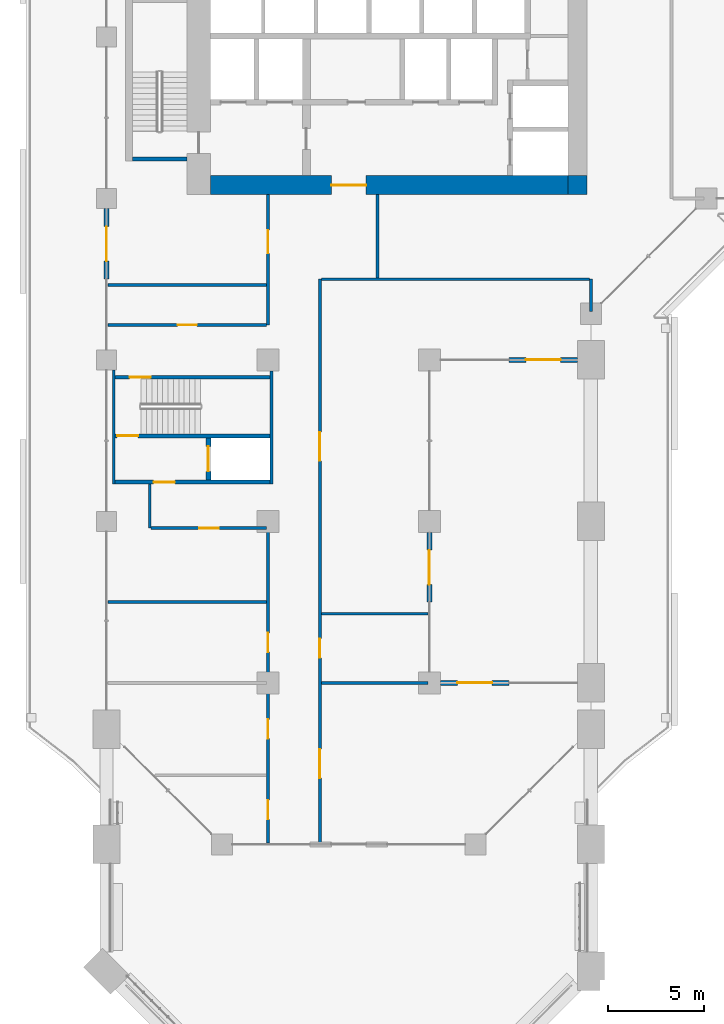
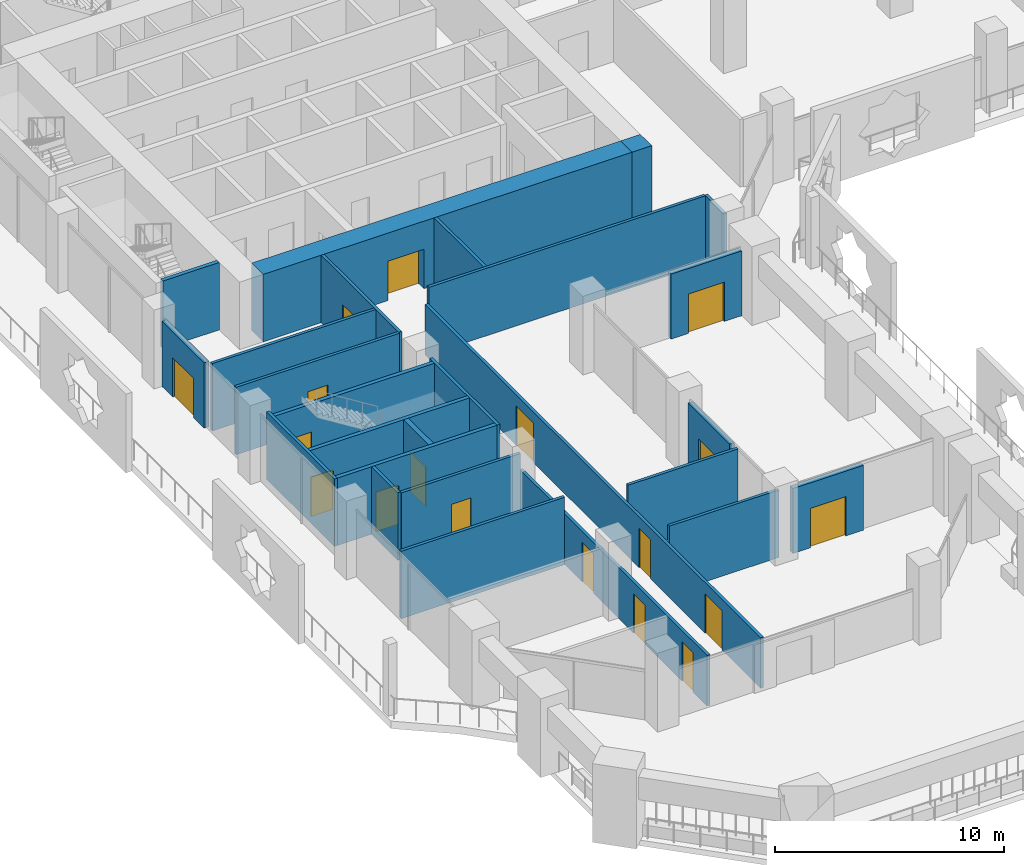
# One storey, part 13 of 25: 26 walls, 18 doors, 18 openings.
"""IFC4 building model written with IfcOpenShell, lengths in metres."""

from ifc_helpers import new_model, si_unit, direction, frame, frame_2d, origin, place, context, subcontext, project, spatial, rectangle, extrude, material, layer, layer_set, type_object, element, fill, save


model = new_model("IFC4")

# Units and contexts
model_context = context("Model", 3, precision=1e-05, world=origin(), true_north=direction((0.0, 1.0)))
body_context = subcontext(model_context, "Body", "Model", "MODEL_VIEW")
ifc_project = project(units=[si_unit("LENGTHUNIT", "METRE"), si_unit("AREAUNIT", "SQUARE_METRE"), si_unit("VOLUMEUNIT", "CUBIC_METRE"), si_unit("PLANEANGLEUNIT", "RADIAN"), si_unit("MASSUNIT", "GRAM", prefix="KILO")], contexts=[model_context])

# Site, building, storey
site_placement = place(None, origin())
site = spatial("IfcSite", under=ifc_project, at=site_placement, CompositionType="ELEMENT")
building_placement = place(site_placement, origin())
building = spatial("IfcBuilding", under=site, at=building_placement, Name="Kawkab Arch Medical Tower", CompositionType="ELEMENT")
storey_placement = place(building_placement, frame((0.0, 0.0, 98.800048828125)))
storey = spatial("IfcBuildingStorey", under=building, at=storey_placement, Name="L22", CompositionType="ELEMENT", Elevation=98.800048828125)

# Wall, opening, door
ifc_material_1 = material(Name="Concrete C60/75", Category="concrete")
ifc_layer_1 = layer(ifc_material_1, 1.0)
ifc_layer_set_1 = layer_set([ifc_layer_1], Name="Concrete C60/75")
wall_type_1 = type_object("IfcWallType", Name="Core ring wall 1000 C60/75", PredefinedType="SHEAR", material=ifc_layer_set_1)
wall_1_placement = place(storey_placement, frame((5.39990234375, -24.5, 0.0), z_axis=(0.0, 0.0, 1.0), x_axis=(1.0, 0.0, 0.0)))
wall_1 = element("IfcWall", 1, at=wall_1_placement, inside=storey, type_object=wall_type_1, Name="L22 core wall", PredefinedType="SHEAR", context=body_context, shape_type="SweptSolid", body=[
    extrude(rectangle(XDim=18.60009765625, YDim=1.0, at=frame_2d((9.300048828125, 0.0))), origin(), (0.0, 0.0, 1.0), 3.599853515625),
])
opening_1_placement = place(wall_1_placement, frame((6.300048828125, 0.0, 0.0)))
opening_1 = element("IfcOpeningElement", 2, at=opening_1_placement, cuts=wall_1, Name="Opening PD", PredefinedType="OPENING", context=body_context, shape_type="SweptSolid", body=[
    extrude(rectangle(XDim=1.800048828125, YDim=2.10009765625, at=frame_2d((0.89990234375, 1.050048828125))), frame((0.0, 0.510009765625, 0.0), z_axis=(0.0, -1.0, 0.0), x_axis=(1.0, 0.0, 0.0)), (0.0, 0.0, 1.0), 1.02001953125),
])
ifc_material_2 = material(Name="Hollow metal fire door leaf")
door_type_1 = type_object("IfcDoorType", Name="Core entrance doors 1800", OperationType="DOUBLE_DOOR_SINGLE_SWING", PredefinedType="DOOR", material=ifc_material_2)
door_1_placement = place(opening_1_placement, origin())
door_1 = element("IfcDoor", 3, at=door_1_placement, inside=storey, type_object=door_type_1, Name="L22 South entrance doors", OperationType="DOUBLE_DOOR_SINGLE_SWING", OverallHeight=2.10009765625, OverallWidth=1.800048828125, PredefinedType="DOOR", context=body_context, shape_type="SweptSolid", body=[
    extrude(rectangle(XDim=1.800048828125, YDim=2.10009765625, at=frame_2d((0.89990234375, 1.050048828125))), frame((0.0, 0.02490234375, 0.0), z_axis=(0.0, -1.0, 0.0), x_axis=(1.0, 0.0, 0.0)), (0.0, 0.0, 1.0), 0.050048828125),
])
fill(opening_1, door_1)

# Wall
wall_2_placement = place(storey_placement, frame((24.5, -25.0, 0.0), z_axis=(0.0, 0.0, 1.0), x_axis=(0.0, 1.0, 0.0)))
element("IfcWall", 4, at=wall_2_placement, inside=storey, type_object=wall_type_1, Name="L22 core wall", PredefinedType="SHEAR", context=body_context, shape_type="SweptSolid", body=[
    extrude(rectangle(XDim=1.0, YDim=1.0, at=frame_2d((0.5, 0.0))), origin(), (0.0, 0.0, 1.0), 3.599853515625),
])

# Wall, opening, door
ifc_material_3 = material(Name="Concrete C60/75", Category="concrete")
ifc_layer_2 = layer(ifc_material_3, 0.25)
ifc_layer_set_2 = layer_set([ifc_layer_2], Name="Concrete C60/75")
wall_type_2 = type_object("IfcWallType", Name="Core shear wall 250 C60/75", PredefinedType="SHEAR", material=ifc_layer_set_2)
wall_3_placement = place(storey_placement, frame((5.300048828125, -39.85009765625, 0.0), z_axis=(0.0, 0.0, 1.0), x_axis=(0.0, 1.0, 0.0)))
wall_3 = element("IfcWall", 5, at=wall_3_placement, inside=storey, type_object=wall_type_2, Name="L22 core shear wall", PredefinedType="SHEAR", context=body_context, shape_type="SweptSolid", body=[
    extrude(rectangle(XDim=2.2001953125, YDim=0.25, at=frame_2d((1.10009765625, 0.0))), origin(), (0.0, 0.0, 1.0), 3.599853515625),
])
opening_2_placement = place(wall_3_placement, frame((0.449951171875, 0.0, 0.0)))
opening_2 = element("IfcOpeningElement", 6, at=opening_2_placement, cuts=wall_3, Name="Opening LD2", PredefinedType="OPENING", context=body_context, shape_type="SweptSolid", body=[
    extrude(rectangle(XDim=1.300048828125, YDim=2.10009765625, at=frame_2d((0.64990234375, 1.050048828125))), frame((0.0, 0.135009765625, 0.0), z_axis=(0.0, -1.0, 0.0), x_axis=(1.0, 0.0, 0.0)), (0.0, 0.0, 1.0), 0.27001953125),
])
ifc_material_4 = material(Name="Stainless steel lift door leaf", Category="steel")
door_type_2 = type_object("IfcDoorType", Name="Lift landing door 1300", OperationType="DOUBLE_DOOR_SLIDING", PredefinedType="DOOR", material=ifc_material_4)
door_2_placement = place(opening_2_placement, origin())
door_2 = element("IfcDoor", 7, at=door_2_placement, inside=storey, type_object=door_type_2, Name="L22 Lift landing door SV2", OperationType="DOUBLE_DOOR_SLIDING", OverallHeight=2.10009765625, OverallWidth=1.300048828125, PredefinedType="DOOR", context=body_context, shape_type="SweptSolid", body=[
    extrude(rectangle(XDim=1.300048828125, YDim=2.10009765625, at=frame_2d((0.64990234375, 1.050048828125))), frame((0.0, 0.02490234375, 0.0), z_axis=(0.0, -1.0, 0.0), x_axis=(1.0, 0.0, 0.0)), (0.0, 0.0, 1.0), 0.050048828125),
])
fill(opening_2, door_2)

ifc_material_5 = material(Name="Bronze clad insulated wall panel")
ifc_layer_3 = layer(ifc_material_5, 0.25)
ifc_layer_set_3 = layer_set([ifc_layer_3], Name="Bronze clad insulated wall panel")
wall_type_3 = type_object("IfcWallType", Name="External wall bay 250", PredefinedType="SOLIDWALL", material=ifc_layer_set_3)
wall_4_placement = place(storey_placement, frame((20.9375, -50.39990234375, 0.0), z_axis=(0.0, 0.0, 1.0), x_axis=(-1.0, 0.0, 0.0)))
wall_4 = element("IfcWall", 8, at=wall_4_placement, inside=storey, type_object=wall_type_3, Name="External wall bay L22.R02.1.2", PredefinedType="SOLIDWALL", context=body_context, shape_type="SweptSolid", body=[
    extrude(rectangle(XDim=3.5625, YDim=0.25, at=frame_2d((1.78125, 0.0))), origin(), (0.0, 0.0, 1.0), 3.4599609375),
])
opening_3_placement = place(wall_4_placement, frame((0.881103515625, 0.0, 0.0)))
opening_3 = element("IfcOpeningElement", 9, at=opening_3_placement, cuts=wall_4, Name="Opening B22-701", PredefinedType="OPENING", context=body_context, shape_type="SweptSolid", body=[
    extrude(rectangle(XDim=1.800048828125, YDim=2.10009765625, at=frame_2d((0.89990234375, 1.050048828125))), frame((0.0, 0.135009765625, 0.0), z_axis=(0.0, -1.0, 0.0), x_axis=(1.0, 0.0, 0.0)), (0.0, 0.0, 1.0), 0.27001953125),
])
ifc_material_6 = material(Name="Bronze anodised aluminium door with tinted glass", Category="aluminium")
door_type_3 = type_object("IfcDoorType", Name="Double external door 1800 x 2100", OperationType="DOUBLE_DOOR_SINGLE_SWING", PredefinedType="DOOR", material=ifc_material_6)
door_3_placement = place(opening_3_placement, origin())
door_3 = element("IfcDoor", 10, at=door_3_placement, inside=storey, type_object=door_type_3, Name="External door L22.R02.1.2", OperationType="DOUBLE_DOOR_SINGLE_SWING", OverallHeight=2.10009765625, OverallWidth=1.800048828125, PredefinedType="DOOR", context=body_context, shape_type="SweptSolid", body=[
    extrude(rectangle(XDim=1.800048828125, YDim=2.10009765625, at=frame_2d((0.89990234375, 1.050048828125))), frame((0.0, 0.02490234375, 0.0), z_axis=(0.0, -1.0, 0.0), x_axis=(1.0, 0.0, 0.0)), (0.0, 0.0, 1.0), 0.050048828125),
])
fill(opening_3, door_3)

wall_5_placement = place(storey_placement, frame((16.800048828125, -46.199951171875, 0.0), z_axis=(0.0, 0.0, 1.0), x_axis=(0.0, 1.0, 0.0)))
wall_5 = element("IfcWall", 11, at=wall_5_placement, inside=storey, type_object=wall_type_3, Name="External wall bay L22.R03.1.2", PredefinedType="SOLIDWALL", context=body_context, shape_type="SweptSolid", body=[
    extrude(rectangle(XDim=3.625, YDim=0.25, at=frame_2d((1.8125, 0.0))), origin(), (0.0, 0.0, 1.0), 3.4599609375),
])
opening_4_placement = place(wall_5_placement, frame((0.91259765625, 0.0, 0.0)))
opening_4 = element("IfcOpeningElement", 12, at=opening_4_placement, cuts=wall_5, Name="Opening B22-701", PredefinedType="OPENING", context=body_context, shape_type="SweptSolid", body=[
    extrude(rectangle(XDim=1.800048828125, YDim=2.10009765625, at=frame_2d((0.89990234375, 1.050048828125))), frame((0.0, 0.135009765625, 0.0), z_axis=(0.0, -1.0, 0.0), x_axis=(1.0, 0.0, 0.0)), (0.0, 0.0, 1.0), 0.27001953125),
])
door_4_placement = place(opening_4_placement, origin())
door_4 = element("IfcDoor", 13, at=door_4_placement, inside=storey, type_object=door_type_3, Name="External door L22.R03.1.2", OperationType="DOUBLE_DOOR_SINGLE_SWING", OverallHeight=2.10009765625, OverallWidth=1.800048828125, PredefinedType="DOOR", context=body_context, shape_type="SweptSolid", body=[
    extrude(rectangle(XDim=1.800048828125, YDim=2.10009765625, at=frame_2d((0.89990234375, 1.050048828125))), frame((0.0, 0.02490234375, 0.0), z_axis=(0.0, -1.0, 0.0), x_axis=(1.0, 0.0, 0.0)), (0.0, 0.0, 1.0), 0.050048828125),
])
fill(opening_4, door_4)

wall_6_placement = place(storey_placement, frame((20.9375, -33.60009765625, 0.0), z_axis=(0.0, 0.0, 1.0), x_axis=(1.0, 0.0, 0.0)))
wall_6 = element("IfcWall", 14, at=wall_6_placement, inside=storey, type_object=wall_type_3, Name="External wall bay L22.R04.1.2", PredefinedType="SOLIDWALL", context=body_context, shape_type="SweptSolid", body=[
    extrude(rectangle(XDim=3.5625, YDim=0.25, at=frame_2d((1.78125, 0.0))), origin(), (0.0, 0.0, 1.0), 3.4599609375),
])
opening_5_placement = place(wall_6_placement, frame((0.881103515625, 0.0, 0.0)))
opening_5 = element("IfcOpeningElement", 15, at=opening_5_placement, cuts=wall_6, Name="Opening B22-701", PredefinedType="OPENING", context=body_context, shape_type="SweptSolid", body=[
    extrude(rectangle(XDim=1.800048828125, YDim=2.10009765625, at=frame_2d((0.89990234375, 1.050048828125))), frame((0.0, 0.135009765625, 0.0), z_axis=(0.0, -1.0, 0.0), x_axis=(1.0, 0.0, 0.0)), (0.0, 0.0, 1.0), 0.27001953125),
])
door_5_placement = place(opening_5_placement, origin())
door_5 = element("IfcDoor", 16, at=door_5_placement, inside=storey, type_object=door_type_3, Name="External door L22.R04.1.2", OperationType="DOUBLE_DOOR_SINGLE_SWING", OverallHeight=2.10009765625, OverallWidth=1.800048828125, PredefinedType="DOOR", context=body_context, shape_type="SweptSolid", body=[
    extrude(rectangle(XDim=1.800048828125, YDim=2.10009765625, at=frame_2d((0.89990234375, 1.050048828125))), frame((0.0, 0.02490234375, 0.0), z_axis=(0.0, -1.0, 0.0), x_axis=(1.0, 0.0, 0.0)), (0.0, 0.0, 1.0), 0.050048828125),
])
fill(opening_5, door_5)

wall_7_placement = place(storey_placement, frame((0.0, -25.72509765625, 0.0), z_axis=(0.0, 0.0, 1.0), x_axis=(0.0, -1.0, 0.0)))
wall_7 = element("IfcWall", 17, at=wall_7_placement, inside=storey, type_object=wall_type_3, Name="External wall bay L22.R13.4.1", PredefinedType="SOLIDWALL", context=body_context, shape_type="SweptSolid", body=[
    extrude(rectangle(XDim=3.6748046875, YDim=0.25, at=frame_2d((1.83740234375, 0.0))), origin(), (0.0, 0.0, 1.0), 3.47998046875),
])
opening_6_placement = place(wall_7_placement, frame((0.9375, 0.0, 0.0)))
opening_6 = element("IfcOpeningElement", 18, at=opening_6_placement, cuts=wall_7, Name="Opening B22-701", PredefinedType="OPENING", context=body_context, shape_type="SweptSolid", body=[
    extrude(rectangle(XDim=1.800048828125, YDim=2.10009765625, at=frame_2d((0.89990234375, 1.050048828125))), frame((0.0, 0.135009765625, 0.0), z_axis=(0.0, -1.0, 0.0), x_axis=(1.0, 0.0, 0.0)), (0.0, 0.0, 1.0), 0.27001953125),
])
door_6_placement = place(opening_6_placement, origin())
door_6 = element("IfcDoor", 19, at=door_6_placement, inside=storey, type_object=door_type_3, Name="External door L22.R13.4.1", OperationType="DOUBLE_DOOR_SINGLE_SWING", OverallHeight=2.10009765625, OverallWidth=1.800048828125, PredefinedType="DOOR", context=body_context, shape_type="SweptSolid", body=[
    extrude(rectangle(XDim=1.800048828125, YDim=2.10009765625, at=frame_2d((0.89990234375, 1.050048828125))), frame((0.0, 0.02490234375, 0.0), z_axis=(0.0, -1.0, 0.0), x_axis=(1.0, 0.0, 0.0)), (0.0, 0.0, 1.0), 0.050048828125),
])
fill(opening_6, door_6)

# Walls
ifc_material_7 = material(Name="Gypsum board partition on steel studs, mineral wool", Category="steel")
ifc_layer_4 = layer(ifc_material_7, 0.14990234375)
ifc_layer_set_4 = layer_set([ifc_layer_4], Name="Gypsum board partition on steel studs, mineral wool")
wall_type_4 = type_object("IfcWallType", Name="Partition 150", PredefinedType="PARTITIONING", material=ifc_layer_set_4)
for number, where, z_axis, x_axis, name in (
    (20, (11.175048828125, -50.39990234375, 0.0), (0.0, 0.0, 1.0), (1.0, 0.0, 0.0), "Partition 150 w004"),
    (21, (11.175048828125, -46.800048828125, 0.0), (0.0, 0.0, 1.0), (1.0, 0.0, 0.0), "Partition 150 w005"),
):
    element("IfcWall", number, at=place(storey_placement, frame(where, z_axis=z_axis, x_axis=x_axis)), inside=storey, type_object=wall_type_4, Name=name, PredefinedType="PARTITIONING", context=body_context, shape_type="SweptSolid", body=[
        extrude(rectangle(XDim=5.544921875, YDim=0.14990234375, at=frame_2d((2.7724609375, 0.0))), origin(), (0.0, 0.0, 1.0), 3.599853515625),
    ])
wall_8_placement = place(storey_placement, frame((0.080078125, -46.199951171875, 0.0), z_axis=(0.0, 0.0, 1.0), x_axis=(1.0, 0.0, 0.0)))
element("IfcWall", 22, at=wall_8_placement, inside=storey, type_object=wall_type_4, Name="Partition 150 w006", PredefinedType="PARTITIONING", context=body_context, shape_type="SweptSolid", body=[
    extrude(rectangle(XDim=8.244873046875, YDim=0.14990234375, at=frame_2d((4.12255859375, 0.0))), origin(), (0.0, 0.0, 1.0), 3.599853515625),
])

# Wall, opening, door
wall_9_placement = place(storey_placement, frame((2.326904296875, -42.35009765625, 0.0), z_axis=(0.0, 0.0, 1.0), x_axis=(1.0, 0.0, 0.0)))
wall_9 = element("IfcWall", 23, at=wall_9_placement, inside=storey, type_object=wall_type_4, Name="Partition 150 w007", PredefinedType="PARTITIONING", context=body_context, shape_type="SweptSolid", body=[
    extrude(rectangle(XDim=5.998046875, YDim=0.14990234375, at=frame_2d((2.9990234375, 0.0))), origin(), (0.0, 0.0, 1.0), 3.599853515625),
])
opening_7_placement = place(wall_9_placement, frame((2.4990234375, 0.0, 0.0)))
opening_7 = element("IfcOpeningElement", 24, at=opening_7_placement, cuts=wall_9, Name="Opening B22-021", PredefinedType="OPENING", context=body_context, shape_type="SweptSolid", body=[
    extrude(rectangle(XDim=1.0, YDim=2.10009765625, at=frame_2d((0.5, 1.050048828125))), frame((0.0, 0.0849609375, 0.0), z_axis=(0.0, -1.0, 0.0), x_axis=(1.0, 0.0, 0.0)), (0.0, 0.0, 1.0), 0.169921875),
])
ifc_material_8 = material(Name="Hollow metal door leaf")
door_type_4 = type_object("IfcDoorType", Name="Single door 1000x2100 FD30S", OperationType="NOTDEFINED", PredefinedType="DOOR", material=ifc_material_8)
door_7_placement = place(opening_7_placement, origin())
door_7 = element("IfcDoor", 25, at=door_7_placement, inside=storey, type_object=door_type_4, Name="Door B22-021", OperationType="SINGLE_SWING_LEFT", OverallHeight=2.10009765625, OverallWidth=1.0, PredefinedType="DOOR", context=body_context, shape_type="SweptSolid", body=[
    extrude(rectangle(XDim=1.0, YDim=2.10009765625, at=frame_2d((0.5, 1.050048828125))), frame((0.0, 0.02490234375, 0.0), z_axis=(0.0, -1.0, 0.0), x_axis=(1.0, 0.0, 0.0)), (0.0, 0.0, 1.0), 0.050048828125),
])
fill(opening_7, door_7)

wall_10_placement = place(storey_placement, frame((0.080078125, -31.781982421875, 0.0), z_axis=(0.0, 0.0, 1.0), x_axis=(1.0, 0.0, 0.0)))
wall_10 = element("IfcWall", 26, at=wall_10_placement, inside=storey, type_object=wall_type_4, Name="Partition 150 w008", PredefinedType="PARTITIONING", context=body_context, shape_type="SweptSolid", body=[
    extrude(rectangle(XDim=8.244873046875, YDim=0.14990234375, at=frame_2d((4.12255859375, 0.0))), origin(), (0.0, 0.0, 1.0), 3.599853515625),
])
opening_8_placement = place(wall_10_placement, frame((3.6201171875, 0.0, 0.0)))
opening_8 = element("IfcOpeningElement", 27, at=opening_8_placement, cuts=wall_10, Name="Opening B22-020", PredefinedType="OPENING", context=body_context, shape_type="SweptSolid", body=[
    extrude(rectangle(XDim=1.0, YDim=2.10009765625, at=frame_2d((0.5, 1.050048828125))), frame((0.0, 0.0849609375, 0.0), z_axis=(0.0, -1.0, 0.0), x_axis=(1.0, 0.0, 0.0)), (0.0, 0.0, 1.0), 0.169921875),
])
door_8_placement = place(opening_8_placement, origin())
door_8 = element("IfcDoor", 28, at=door_8_placement, inside=storey, type_object=door_type_4, Name="Door B22-020", OperationType="SINGLE_SWING_LEFT", OverallHeight=2.10009765625, OverallWidth=1.0, PredefinedType="DOOR", context=body_context, shape_type="SweptSolid", body=[
    extrude(rectangle(XDim=1.0, YDim=2.10009765625, at=frame_2d((0.5, 1.050048828125))), frame((0.0, 0.02490234375, 0.0), z_axis=(0.0, -1.0, 0.0), x_axis=(1.0, 0.0, 0.0)), (0.0, 0.0, 1.0), 0.050048828125),
])
fill(opening_8, door_8)

# Walls
wall_11_placement = place(storey_placement, frame((0.080078125, -29.699951171875, 0.0), z_axis=(0.0, 0.0, 1.0), x_axis=(1.0, 0.0, 0.0)))
element("IfcWall", 29, at=wall_11_placement, inside=storey, type_object=wall_type_4, Name="Partition 150 w009", PredefinedType="PARTITIONING", context=body_context, shape_type="SweptSolid", body=[
    extrude(rectangle(XDim=8.244873046875, YDim=0.14990234375, at=frame_2d((4.12255859375, 0.0))), origin(), (0.0, 0.0, 1.0), 3.599853515625),
])
wall_12_placement = place(storey_placement, frame((11.175048828125, -29.39990234375, 0.0), z_axis=(0.0, 0.0, 1.0), x_axis=(1.0, 0.0, 0.0)))
element("IfcWall", 30, at=wall_12_placement, inside=storey, type_object=wall_type_4, Name="Partition 150 w010", PredefinedType="PARTITIONING", context=body_context, shape_type="SweptSolid", body=[
    extrude(rectangle(XDim=13.949951171875, YDim=0.14990234375, at=frame_2d((6.97509765625, 0.0))), origin(), (0.0, 0.0, 1.0), 3.599853515625),
])
wall_13_placement = place(storey_placement, frame((2.25, -42.347900390625, 0.0), z_axis=(0.0, 0.0, 1.0), x_axis=(0.0, 1.0, 0.0)))
element("IfcWall", 31, at=wall_13_placement, inside=storey, type_object=wall_type_4, Name="Partition 150 w021", PredefinedType="PARTITIONING", context=body_context, shape_type="SweptSolid", body=[
    extrude(rectangle(XDim=2.2978515625, YDim=0.14990234375, at=frame_2d((1.14892578125, 0.0))), origin(), (0.0, 0.0, 1.0), 3.599853515625),
])

# Wall, openings, doors
wall_14_placement = place(storey_placement, frame((8.39990234375, -58.719970703125, 0.0), z_axis=(0.0, 0.0, 1.0), x_axis=(0.0, 1.0, 0.0)))
wall_14 = element("IfcWall", 32, at=wall_14_placement, inside=storey, type_object=wall_type_4, Name="Partition 150 w022", PredefinedType="PARTITIONING", context=body_context, shape_type="SweptSolid", body=[
    extrude(rectangle(XDim=16.369873046875, YDim=0.14990234375, at=frame_2d((8.18505859375, 0.0))), origin(), (0.0, 0.0, 1.0), 2.699951171875),
])
opening_9_placement = place(wall_14_placement, frame((9.919921875, 0.0, 0.0)))
opening_9 = element("IfcOpeningElement", 33, at=opening_9_placement, cuts=wall_14, Name="Opening B22-022", PredefinedType="OPENING", context=body_context, shape_type="SweptSolid", body=[
    extrude(rectangle(XDim=1.0, YDim=2.10009765625, at=frame_2d((0.5, 1.050048828125))), frame((0.0, 0.0849609375, 0.0), z_axis=(0.0, -1.0, 0.0), x_axis=(1.0, 0.0, 0.0)), (0.0, 0.0, 1.0), 0.169921875),
])
opening_10_placement = place(wall_14_placement, frame((5.419921875, 0.0, 0.0)))
opening_10 = element("IfcOpeningElement", 34, at=opening_10_placement, cuts=wall_14, Name="Opening B22-023", PredefinedType="OPENING", context=body_context, shape_type="SweptSolid", body=[
    extrude(rectangle(XDim=1.0, YDim=2.10009765625, at=frame_2d((0.5, 1.050048828125))), frame((0.0, 0.0849609375, 0.0), z_axis=(0.0, -1.0, 0.0), x_axis=(1.0, 0.0, 0.0)), (0.0, 0.0, 1.0), 0.169921875),
])
opening_11_placement = place(wall_14_placement, frame((1.219970703125, 0.0, 0.0)))
opening_11 = element("IfcOpeningElement", 35, at=opening_11_placement, cuts=wall_14, Name="Opening B22-024", PredefinedType="OPENING", context=body_context, shape_type="SweptSolid", body=[
    extrude(rectangle(XDim=1.0, YDim=2.10009765625, at=frame_2d((0.5, 1.050048828125))), frame((0.0, 0.0849609375, 0.0), z_axis=(0.0, -1.0, 0.0), x_axis=(1.0, 0.0, 0.0)), (0.0, 0.0, 1.0), 0.169921875),
])
door_9_placement = place(opening_9_placement, origin())
door_9 = element("IfcDoor", 36, at=door_9_placement, inside=storey, type_object=door_type_4, Name="Door B22-022", OperationType="SINGLE_SWING_RIGHT", OverallHeight=2.10009765625, OverallWidth=1.0, PredefinedType="DOOR", context=body_context, shape_type="SweptSolid", body=[
    extrude(rectangle(XDim=1.0, YDim=2.10009765625, at=frame_2d((0.5, 1.050048828125))), frame((0.0, 0.02490234375, 0.0), z_axis=(0.0, -1.0, 0.0), x_axis=(1.0, 0.0, 0.0)), (0.0, 0.0, 1.0), 0.050048828125),
])
fill(opening_9, door_9)
door_10_placement = place(opening_10_placement, origin())
door_10 = element("IfcDoor", 37, at=door_10_placement, inside=storey, type_object=door_type_4, Name="Door B22-023", OperationType="SINGLE_SWING_LEFT", OverallHeight=2.10009765625, OverallWidth=1.0, PredefinedType="DOOR", context=body_context, shape_type="SweptSolid", body=[
    extrude(rectangle(XDim=1.0, YDim=2.10009765625, at=frame_2d((0.5, 1.050048828125))), frame((0.0, 0.02490234375, 0.0), z_axis=(0.0, -1.0, 0.0), x_axis=(1.0, 0.0, 0.0)), (0.0, 0.0, 1.0), 0.050048828125),
])
fill(opening_10, door_10)
door_11_placement = place(opening_11_placement, origin())
door_11 = element("IfcDoor", 38, at=door_11_placement, inside=storey, type_object=door_type_4, Name="Door B22-024", OperationType="SINGLE_SWING_LEFT", OverallHeight=2.10009765625, OverallWidth=1.0, PredefinedType="DOOR", context=body_context, shape_type="SweptSolid", body=[
    extrude(rectangle(XDim=1.0, YDim=2.10009765625, at=frame_2d((0.5, 1.050048828125))), frame((0.0, 0.02490234375, 0.0), z_axis=(0.0, -1.0, 0.0), x_axis=(1.0, 0.0, 0.0)), (0.0, 0.0, 1.0), 0.050048828125),
])
fill(opening_11, door_11)

# Wall, opening, door
wall_15_placement = place(storey_placement, frame((8.39990234375, -31.781982421875, 0.0), z_axis=(0.0, 0.0, 1.0), x_axis=(0.0, 1.0, 0.0)))
wall_15 = element("IfcWall", 39, at=wall_15_placement, inside=storey, type_object=wall_type_4, Name="Partition 150 w023", PredefinedType="PARTITIONING", context=body_context, shape_type="SweptSolid", body=[
    extrude(rectangle(XDim=6.781982421875, YDim=0.14990234375, at=frame_2d((3.39111328125, 0.0))), origin(), (0.0, 0.0, 1.0), 3.599853515625),
])
opening_12_placement = place(wall_15_placement, frame((3.73193359375, 0.0, 0.0)))
opening_12 = element("IfcOpeningElement", 40, at=opening_12_placement, cuts=wall_15, Name="Opening B22-027", PredefinedType="OPENING", context=body_context, shape_type="SweptSolid", body=[
    extrude(rectangle(XDim=1.199951171875, YDim=2.10009765625, at=frame_2d((0.60009765625, 1.050048828125))), frame((0.0, 0.0849609375, 0.0), z_axis=(0.0, -1.0, 0.0), x_axis=(1.0, 0.0, 0.0)), (0.0, 0.0, 1.0), 0.169921875),
])
ifc_material_9 = material(Name="Hollow metal door leaf")
door_type_5 = type_object("IfcDoorType", Name="Single door 1200x2100 FD30S", OperationType="NOTDEFINED", PredefinedType="DOOR", material=ifc_material_9)
door_12_placement = place(opening_12_placement, origin())
door_12 = element("IfcDoor", 41, at=door_12_placement, inside=storey, type_object=door_type_5, Name="Door B22-027", OperationType="SINGLE_SWING_RIGHT", OverallHeight=2.10009765625, OverallWidth=1.199951171875, PredefinedType="DOOR", context=body_context, shape_type="SweptSolid", body=[
    extrude(rectangle(XDim=1.199951171875, YDim=2.10009765625, at=frame_2d((0.60009765625, 1.050048828125))), frame((0.0, 0.02490234375, 0.0), z_axis=(0.0, -1.0, 0.0), x_axis=(1.0, 0.0, 0.0)), (0.0, 0.0, 1.0), 0.050048828125),
])
fill(opening_12, door_12)

# Wall, openings, doors
wall_16_placement = place(storey_placement, frame((11.10009765625, -58.719970703125, 0.0), z_axis=(0.0, 0.0, 1.0), x_axis=(0.0, 1.0, 0.0)))
wall_16 = element("IfcWall", 42, at=wall_16_placement, inside=storey, type_object=wall_type_4, Name="Partition 150 w024", PredefinedType="PARTITIONING", context=body_context, shape_type="SweptSolid", body=[
    extrude(rectangle(XDim=29.320068359375, YDim=0.14990234375, at=frame_2d((14.66015625, 0.0))), origin(), (0.0, 0.0, 1.0), 2.699951171875),
])
opening_13_placement = place(wall_16_placement, frame((19.8701171875, 0.0, 0.0)))
opening_13 = element("IfcOpeningElement", 43, at=opening_13_placement, cuts=wall_16, Name="Opening B22-004", PredefinedType="OPENING", context=body_context, shape_type="SweptSolid", body=[
    extrude(rectangle(XDim=1.5, YDim=2.10009765625, at=frame_2d((0.75, 1.050048828125))), frame((0.0, 0.0849609375, 0.0), z_axis=(0.0, -1.0, 0.0), x_axis=(1.0, 0.0, 0.0)), (0.0, 0.0, 1.0), 0.169921875),
])
opening_14_placement = place(wall_16_placement, frame((9.6201171875, 0.0, 0.0)))
opening_14 = element("IfcOpeningElement", 44, at=opening_14_placement, cuts=wall_16, Name="Opening B22-025", PredefinedType="OPENING", context=body_context, shape_type="SweptSolid", body=[
    extrude(rectangle(XDim=1.0, YDim=2.10009765625, at=frame_2d((0.5, 1.050048828125))), frame((0.0, 0.0849609375, 0.0), z_axis=(0.0, -1.0, 0.0), x_axis=(1.0, 0.0, 0.0)), (0.0, 0.0, 1.0), 0.169921875),
])
opening_15_placement = place(wall_16_placement, frame((3.3701171875, 0.0, 0.0)))
opening_15 = element("IfcOpeningElement", 45, at=opening_15_placement, cuts=wall_16, Name="Opening B22-005", PredefinedType="OPENING", context=body_context, shape_type="SweptSolid", body=[
    extrude(rectangle(XDim=1.5, YDim=2.10009765625, at=frame_2d((0.75, 1.050048828125))), frame((0.0, 0.0849609375, 0.0), z_axis=(0.0, -1.0, 0.0), x_axis=(1.0, 0.0, 0.0)), (0.0, 0.0, 1.0), 0.169921875),
])
ifc_material_10 = material(Name="Hollow metal door leaf")
door_type_6 = type_object("IfcDoorType", Name="Double door 1500x2100 FD30S", OperationType="NOTDEFINED", PredefinedType="DOOR", material=ifc_material_10)
door_13_placement = place(opening_13_placement, origin())
door_13 = element("IfcDoor", 46, at=door_13_placement, inside=storey, type_object=door_type_6, Name="Door B22-004", OperationType="DOUBLE_DOOR_SINGLE_SWING", OverallHeight=2.10009765625, OverallWidth=1.5, PredefinedType="DOOR", context=body_context, shape_type="SweptSolid", body=[
    extrude(rectangle(XDim=1.5, YDim=2.10009765625, at=frame_2d((0.75, 1.050048828125))), frame((0.0, 0.02490234375, 0.0), z_axis=(0.0, -1.0, 0.0), x_axis=(1.0, 0.0, 0.0)), (0.0, 0.0, 1.0), 0.050048828125),
])
fill(opening_13, door_13)
door_14_placement = place(opening_15_placement, origin())
door_14 = element("IfcDoor", 47, at=door_14_placement, inside=storey, type_object=door_type_6, Name="Door B22-005", OperationType="DOUBLE_DOOR_SINGLE_SWING", OverallHeight=2.10009765625, OverallWidth=1.5, PredefinedType="DOOR", context=body_context, shape_type="SweptSolid", body=[
    extrude(rectangle(XDim=1.5, YDim=2.10009765625, at=frame_2d((0.75, 1.050048828125))), frame((0.0, 0.02490234375, 0.0), z_axis=(0.0, -1.0, 0.0), x_axis=(1.0, 0.0, 0.0)), (0.0, 0.0, 1.0), 0.050048828125),
])
fill(opening_15, door_14)
door_15_placement = place(opening_14_placement, origin())
door_15 = element("IfcDoor", 48, at=door_15_placement, inside=storey, type_object=door_type_4, Name="Door B22-025", OperationType="SINGLE_SWING_RIGHT", OverallHeight=2.10009765625, OverallWidth=1.0, PredefinedType="DOOR", context=body_context, shape_type="SweptSolid", body=[
    extrude(rectangle(XDim=1.0, YDim=2.10009765625, at=frame_2d((0.5, 1.050048828125))), frame((0.0, 0.02490234375, 0.0), z_axis=(0.0, -1.0, 0.0), x_axis=(1.0, 0.0, 0.0)), (0.0, 0.0, 1.0), 0.050048828125),
])
fill(opening_14, door_15)

# Walls
wall_17_placement = place(storey_placement, frame((14.10009765625, -29.324951171875, 0.0), z_axis=(0.0, 0.0, 1.0), x_axis=(0.0, 1.0, 0.0)))
element("IfcWall", 49, at=wall_17_placement, inside=storey, type_object=wall_type_4, Name="Partition 150 w025", PredefinedType="PARTITIONING", context=body_context, shape_type="SweptSolid", body=[
    extrude(rectangle(XDim=4.324951171875, YDim=0.14990234375, at=frame_2d((2.16259765625, 0.0))), origin(), (0.0, 0.0, 1.0), 3.599853515625),
])
wall_18_placement = place(storey_placement, frame((25.199951171875, -31.0869140625, 0.0), z_axis=(0.0, 0.0, 1.0), x_axis=(0.0, 1.0, 0.0)))
element("IfcWall", 50, at=wall_18_placement, inside=storey, type_object=wall_type_4, Name="Partition 150 w026", PredefinedType="PARTITIONING", context=body_context, shape_type="SweptSolid", body=[
    extrude(rectangle(XDim=1.68701171875, YDim=0.14990234375, at=frame_2d((0.843505859375, 0.0))), origin(), (0.0, 0.0, 1.0), 3.599853515625),
])
ifc_material_11 = material(Name="Concrete C50/60", Category="concrete")
ifc_layer_5 = layer(ifc_material_11, 0.14990234375)
ifc_layer_set_5 = layer_set([ifc_layer_5], Name="Concrete C50/60")
wall_type_5 = type_object("IfcWallType", Name="Stair enclosure wall 150 C50/60", PredefinedType="SHEAR", material=ifc_layer_set_5)
wall_19_placement = place(storey_placement, frame((0.375, -40.050048828125, 0.0), z_axis=(0.0, 0.0, 1.0), x_axis=(0.0, 1.0, 0.0)))
element("IfcWall", 51, at=wall_19_placement, inside=storey, type_object=wall_type_5, Name="L22 stair enclosure wall", PredefinedType="SHEAR", context=body_context, shape_type="SweptSolid", body=[
    extrude(rectangle(XDim=5.925048828125, YDim=0.14990234375, at=frame_2d((2.96240234375, 0.0))), origin(), (0.0, 0.0, 1.0), 3.599853515625),
])
wall_20_placement = place(storey_placement, frame((8.574951171875, -40.050048828125, 0.0), z_axis=(0.0, 0.0, 1.0), x_axis=(0.0, 1.0, 0.0)))
element("IfcWall", 52, at=wall_20_placement, inside=storey, type_object=wall_type_5, Name="L22 stair enclosure wall", PredefinedType="SHEAR", context=body_context, shape_type="SweptSolid", body=[
    extrude(rectangle(XDim=5.875, YDim=0.14990234375, at=frame_2d((2.9375, 0.0))), origin(), (0.0, 0.0, 1.0), 3.599853515625),
])
ifc_material_12 = material(Name="Concrete C50/60", Category="concrete")
ifc_layer_6 = layer(ifc_material_12, 0.199951171875)
ifc_layer_set_6 = layer_set([ifc_layer_6], Name="Concrete C50/60")
wall_type_6 = type_object("IfcWallType", Name="Stair enclosure wall 200 C50/60", PredefinedType="SHEAR", material=ifc_layer_set_6)
wall_21_placement = place(storey_placement, frame((1.35009765625, -23.14990234375, 0.0), z_axis=(0.0, 0.0, 1.0), x_axis=(1.0, 0.0, 0.0)))
element("IfcWall", 53, at=wall_21_placement, inside=storey, type_object=wall_type_6, Name="L22 stair enclosure wall", PredefinedType="SHEAR", context=body_context, shape_type="SweptSolid", body=[
    extrude(rectangle(XDim=2.849853515625, YDim=0.199951171875, at=frame_2d((1.4248046875, 0.0))), origin(), (0.0, 0.0, 1.0), 3.599853515625),
])

# Wall, opening, door
wall_22_placement = place(storey_placement, frame((0.449951171875, -34.5, 0.0), z_axis=(0.0, 0.0, 1.0), x_axis=(1.0, 0.0, 0.0)))
wall_22 = element("IfcWall", 54, at=wall_22_placement, inside=storey, type_object=wall_type_6, Name="L22 stair enclosure wall", PredefinedType="SHEAR", context=body_context, shape_type="SweptSolid", body=[
    extrude(rectangle(XDim=8.050048828125, YDim=0.199951171875, at=frame_2d((4.02490234375, 0.0))), origin(), (0.0, 0.0, 1.0), 3.599853515625),
])
opening_16_placement = place(wall_22_placement, frame((0.75, 0.0, 0.0)))
opening_16 = element("IfcOpeningElement", 55, at=opening_16_placement, cuts=wall_22, Name="Opening SD", PredefinedType="OPENING", context=body_context, shape_type="SweptSolid", body=[
    extrude(rectangle(XDim=1.10009765625, YDim=2.10009765625, at=frame_2d((0.550048828125, 1.050048828125))), frame((0.0, 0.10986328125, 0.0), z_axis=(0.0, -1.0, 0.0), x_axis=(1.0, 0.0, 0.0)), (0.0, 0.0, 1.0), 0.219970703125),
])
ifc_material_13 = material(Name="Hollow metal fire door leaf")
door_type_7 = type_object("IfcDoorType", Name="Exit stair door 1100", OperationType="SINGLE_SWING_LEFT", PredefinedType="DOOR", material=ifc_material_13)
door_16_placement = place(opening_16_placement, origin())
door_16 = element("IfcDoor", 56, at=door_16_placement, inside=storey, type_object=door_type_7, Name="L22 Exit stair ST6 door", OperationType="SINGLE_SWING_LEFT", OverallHeight=2.10009765625, OverallWidth=1.10009765625, PredefinedType="DOOR", context=body_context, shape_type="SweptSolid", body=[
    extrude(rectangle(XDim=1.10009765625, YDim=2.10009765625, at=frame_2d((0.550048828125, 1.050048828125))), frame((0.0, 0.02490234375, 0.0), z_axis=(0.0, -1.0, 0.0), x_axis=(1.0, 0.0, 0.0)), (0.0, 0.0, 1.0), 0.050048828125),
])
fill(opening_16, door_16)

wall_23_placement = place(storey_placement, frame((0.449951171875, -37.550048828125, 0.0), z_axis=(0.0, 0.0, 1.0), x_axis=(1.0, 0.0, 0.0)))
wall_23 = element("IfcWall", 57, at=wall_23_placement, inside=storey, type_object=wall_type_6, Name="L22 stair enclosure wall", PredefinedType="SHEAR", context=body_context, shape_type="SweptSolid", body=[
    extrude(rectangle(XDim=8.050048828125, YDim=0.199951171875, at=frame_2d((4.02490234375, 0.0))), origin(), (0.0, 0.0, 1.0), 3.599853515625),
])
opening_17_placement = place(wall_23_placement, frame((0.10009765625, 0.0, 0.0)))
opening_17 = element("IfcOpeningElement", 58, at=opening_17_placement, cuts=wall_23, Name="Opening SD", PredefinedType="OPENING", context=body_context, shape_type="SweptSolid", body=[
    extrude(rectangle(XDim=1.10009765625, YDim=2.10009765625, at=frame_2d((0.550048828125, 1.050048828125))), frame((0.0, 0.10986328125, 0.0), z_axis=(0.0, -1.0, 0.0), x_axis=(1.0, 0.0, 0.0)), (0.0, 0.0, 1.0), 0.219970703125),
])
door_17_placement = place(opening_17_placement, frame((1.10009765625, 0.0, 0.0), z_axis=(0.0, 0.0, 1.0), x_axis=(-1.0, 0.0, 0.0)))
door_17 = element("IfcDoor", 59, at=door_17_placement, inside=storey, type_object=door_type_7, Name="L22 Exit stair ST6 lobby door", OperationType="SINGLE_SWING_LEFT", OverallHeight=2.10009765625, OverallWidth=1.10009765625, PredefinedType="DOOR", context=body_context, shape_type="SweptSolid", body=[
    extrude(rectangle(XDim=1.10009765625, YDim=2.10009765625, at=frame_2d((0.550048828125, 1.050048828125))), frame((0.0, 0.02490234375, 0.0), z_axis=(0.0, -1.0, 0.0), x_axis=(1.0, 0.0, 0.0)), (0.0, 0.0, 1.0), 0.050048828125),
])
fill(opening_17, door_17)

wall_24_placement = place(storey_placement, frame((0.449951171875, -39.949951171875, 0.0), z_axis=(0.0, 0.0, 1.0), x_axis=(1.0, 0.0, 0.0)))
wall_24 = element("IfcWall", 60, at=wall_24_placement, inside=storey, type_object=wall_type_6, Name="L22 stair enclosure wall", PredefinedType="SHEAR", context=body_context, shape_type="SweptSolid", body=[
    extrude(rectangle(XDim=8.050048828125, YDim=0.199951171875, at=frame_2d((4.02490234375, 0.0))), origin(), (0.0, 0.0, 1.0), 3.599853515625),
])
opening_18_placement = place(wall_24_placement, frame((2.0, 0.0, 0.0)))
opening_18 = element("IfcOpeningElement", 61, at=opening_18_placement, cuts=wall_24, Name="Opening FD", PredefinedType="OPENING", context=body_context, shape_type="SweptSolid", body=[
    extrude(rectangle(XDim=1.10009765625, YDim=2.10009765625, at=frame_2d((0.550048828125, 1.050048828125))), frame((0.0, 0.10986328125, 0.0), z_axis=(0.0, -1.0, 0.0), x_axis=(1.0, 0.0, 0.0)), (0.0, 0.0, 1.0), 0.219970703125),
])
ifc_material_14 = material(Name="Hollow metal fire door leaf")
door_type_8 = type_object("IfcDoorType", Name="Firefighting lobby door 1100", OperationType="SINGLE_SWING_LEFT", PredefinedType="DOOR", material=ifc_material_14)
door_18_placement = place(opening_18_placement, origin())
door_18 = element("IfcDoor", 62, at=door_18_placement, inside=storey, type_object=door_type_8, Name="L22 Service lift lobby door SV2", OperationType="SINGLE_SWING_LEFT", OverallHeight=2.10009765625, OverallWidth=1.10009765625, PredefinedType="DOOR", context=body_context, shape_type="SweptSolid", body=[
    extrude(rectangle(XDim=1.10009765625, YDim=2.10009765625, at=frame_2d((0.550048828125, 1.050048828125))), frame((0.0, 0.02490234375, 0.0), z_axis=(0.0, -1.0, 0.0), x_axis=(1.0, 0.0, 0.0)), (0.0, 0.0, 1.0), 0.050048828125),
])
fill(opening_18, door_18)

save(model, "model.ifc")
